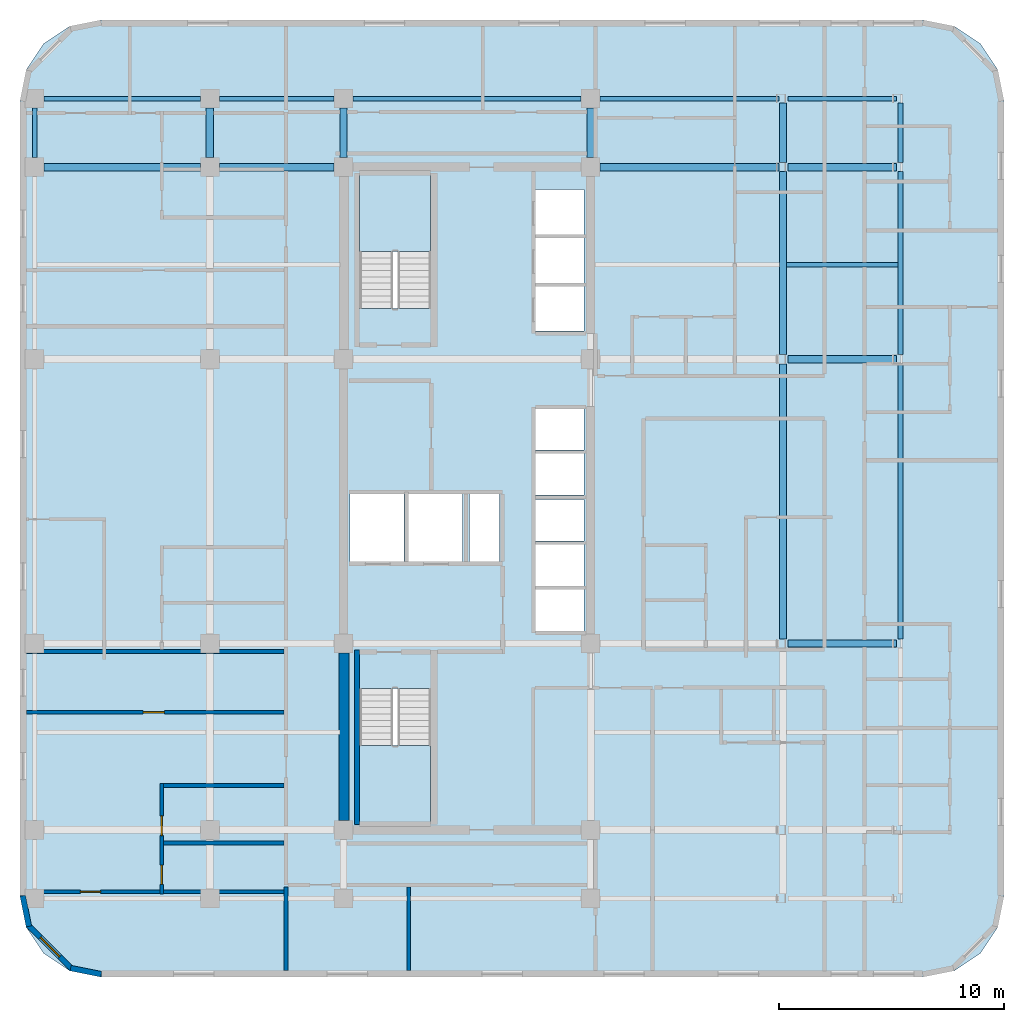
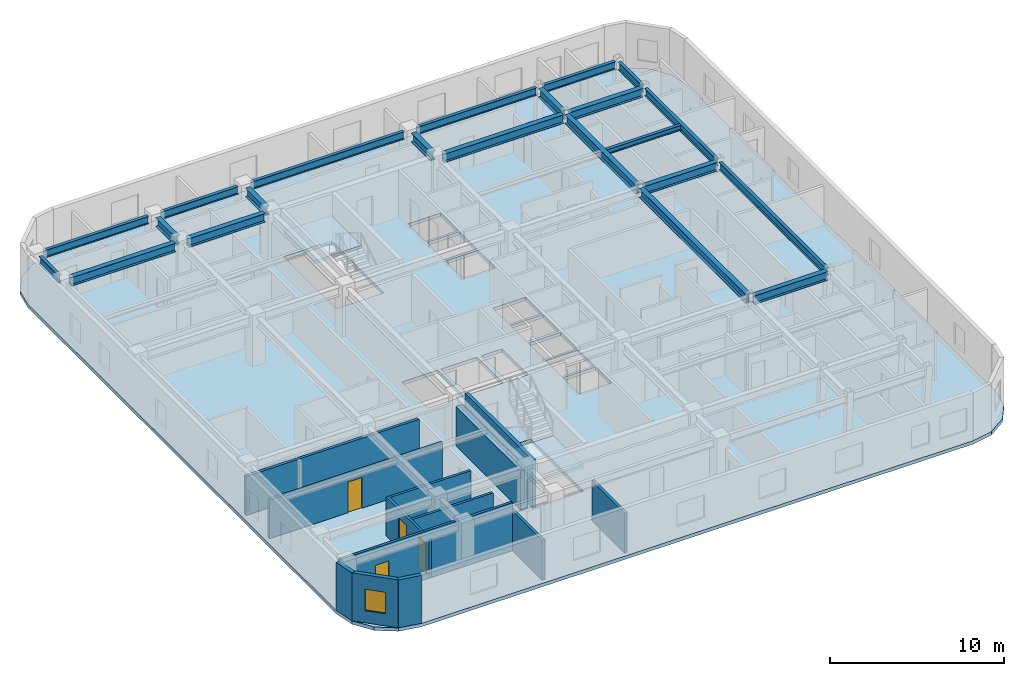
# One storey, part 2 of 9: 22 beams, 13 walls, 4 doors, 3 slabs, 1 window, 5 openings, 2 elements without a shape of their own.
"""IFC4 building model written with IfcOpenShell, lengths in metres."""

from ifc_helpers import new_model, si_unit, direction, frame, frame_2d, origin, origin_2d, place, context, subcontext, project, spatial, polyline, rectangle, i_section, outline, extrude, material, layer, layer_set, material_profile, profile_set, type_object, element, fill, aggregate, save


model = new_model("IFC4")

# Units and contexts
model_context = context("Model", 3, precision=1e-05, world=origin(), true_north=direction((0.0, 1.0)))
body_context = subcontext(model_context, "Body", "Model", "MODEL_VIEW")
ifc_project = project(units=[si_unit("LENGTHUNIT", "METRE"), si_unit("AREAUNIT", "SQUARE_METRE"), si_unit("VOLUMEUNIT", "CUBIC_METRE"), si_unit("PLANEANGLEUNIT", "RADIAN"), si_unit("MASSUNIT", "GRAM", prefix="KILO")], contexts=[model_context])

# Site, building, storey
site_placement = place(None, origin())
site = spatial("IfcSite", under=ifc_project, at=site_placement, CompositionType="ELEMENT")
building_placement = place(site_placement, origin())
building = spatial("IfcBuilding", under=site, at=building_placement, Name="Ochreholt Gables", CompositionType="ELEMENT")
storey_placement = place(building_placement, frame((0.0, 0.0, 106.199951171875)))
storey = spatial("IfcBuildingStorey", under=building, at=storey_placement, Name="L27", CompositionType="ELEMENT", Elevation=106.199951171875)

# Beams
ifc_material_1 = material(Name="Steel CSA G40.21 350W", Category="steel")
ifc_material_profile_1 = material_profile(ifc_material_1, i_section(OverallWidth=0.323974609375, OverallDepth=0.611083984375, WebThickness=0.0126953125, FlangeThickness=0.01904296875, at=origin_2d()), Name="W610X155")
ifc_profile_set_1 = profile_set([ifc_material_profile_1], Name="Steel CSA G40.21 350W")
beam_type_1 = type_object("IfcBeamType", Name="BM-G-W610A", PredefinedType="BEAM", material=ifc_profile_set_1)
for number, where, z_axis, x_axis, name in (
    (1, (43.981689453125, 17.550048828125, 3.054443359375), (1.0, 0.0, 0.0), (0.0, 1.0, 0.0), "L27 Beam TBG-L27-EMEE-Y3"),
    (2, (43.981689453125, 30.199951171875, 3.054443359375), (1.0, 0.0, 0.0), (0.0, 1.0, 0.0), "L27 Beam TBG-L27-EMEE-Y4"),
):
    element("IfcBeam", number, at=place(storey_placement, frame(where, z_axis=z_axis, x_axis=x_axis)), inside=storey, type_object=beam_type_1, Name=name, PredefinedType="BEAM", context=body_context, shape_type="SweptSolid", body=[
        extrude(i_section(OverallWidth=0.323974609375, OverallDepth=0.611083984375, WebThickness=0.0126953125, FlangeThickness=0.01904296875, at=origin_2d()), origin(), (0.0, 0.0, 1.0), 4.8408203125),
    ])
beam_1_placement = place(storey_placement, frame((10.87451171875, 38.75, 3.054443359375), z_axis=(1.0, 0.0, 0.0), x_axis=(0.0, 1.0, 0.0)))
element("IfcBeam", 3, at=beam_1_placement, inside=storey, type_object=beam_type_1, Name="L27 Beam TBG-L27-W2W3-Y5", PredefinedType="BEAM", context=body_context, shape_type="SweptSolid", body=[
    extrude(i_section(OverallWidth=0.323974609375, OverallDepth=0.611083984375, WebThickness=0.0126953125, FlangeThickness=0.01904296875, at=origin_2d()), origin(), (0.0, 0.0, 1.0), 6.950927734375),
])
beam_2_placement = place(storey_placement, frame((18.674560546875, 38.75, 3.054443359375), z_axis=(1.0, 0.0, 0.0), x_axis=(0.0, 1.0, 0.0)))
element("IfcBeam", 4, at=beam_2_placement, inside=storey, type_object=beam_type_1, Name="L27 Beam TBG-L27-W3C1-Y5", PredefinedType="BEAM", context=body_context, shape_type="SweptSolid", body=[
    extrude(i_section(OverallWidth=0.323974609375, OverallDepth=0.611083984375, WebThickness=0.0126953125, FlangeThickness=0.01904296875, at=origin_2d()), origin(), (0.0, 0.0, 1.0), 5.100830078125),
])
beam_3_placement = place(storey_placement, frame((35.62451171875, 38.75, 3.054443359375), z_axis=(1.0, 0.0, 0.0), x_axis=(0.0, 1.0, 0.0)))
element("IfcBeam", 5, at=beam_3_placement, inside=storey, type_object=beam_type_1, Name="L27 Beam TBG-L27-C2EM-Y5", PredefinedType="BEAM", context=body_context, shape_type="SweptSolid", body=[
    extrude(i_section(OverallWidth=0.323974609375, OverallDepth=0.611083984375, WebThickness=0.0126953125, FlangeThickness=0.01904296875, at=origin_2d()), origin(), (0.0, 0.0, 1.0), 7.951904296875),
])
beam_4_placement = place(storey_placement, frame((43.981689453125, 38.75, 3.054443359375), z_axis=(1.0, 0.0, 0.0), x_axis=(0.0, 1.0, 0.0)))
element("IfcBeam", 6, at=beam_4_placement, inside=storey, type_object=beam_type_1, Name="L27 Beam TBG-L27-EMEE-Y5", PredefinedType="BEAM", context=body_context, shape_type="SweptSolid", body=[
    extrude(i_section(OverallWidth=0.323974609375, OverallDepth=0.611083984375, WebThickness=0.0126953125, FlangeThickness=0.01904296875, at=origin_2d()), origin(), (0.0, 0.0, 1.0), 4.8408203125),
])
for number, where, z_axis, x_axis, name in (
    (7, (18.25, 39.174560546875, 3.054443359375), (0.0, 1.0, 0.0), (-1.0, 0.0, 0.0), "L27 Beam TBN-L27-W3-Y5Y6"),
    (8, (24.199951171875, 39.174560546875, 3.054443359375), (0.0, 1.0, 0.0), (-1.0, 0.0, 0.0), "L27 Beam TBN-L27-C1-Y5Y6"),
    (9, (35.199951171875, 39.174560546875, 3.054443359375), (0.0, 1.0, 0.0), (-1.0, 0.0, 0.0), "L27 Beam TBN-L27-C2-Y5Y6"),
):
    element("IfcBeam", number, at=place(storey_placement, frame(where, z_axis=z_axis, x_axis=x_axis)), inside=storey, type_object=beam_type_1, Name=name, PredefinedType="BEAM", context=body_context, shape_type="SweptSolid", body=[
        extrude(i_section(OverallWidth=0.323974609375, OverallDepth=0.611083984375, WebThickness=0.0126953125, FlangeThickness=0.01904296875, at=origin_2d()), origin(), (0.0, 0.0, 1.0), 2.200927734375),
    ])
beam_5_placement = place(storey_placement, frame((43.761962890625, 17.752685546875, 3.054443359375), z_axis=(0.0, 1.0, 0.0), x_axis=(-1.0, 0.0, 0.0)))
element("IfcBeam", 10, at=beam_5_placement, inside=storey, type_object=beam_type_1, Name="L27 Beam TBN-L27-EM-Y3Y4", PredefinedType="BEAM", context=body_context, shape_type="SweptSolid", body=[
    extrude(i_section(OverallWidth=0.323974609375, OverallDepth=0.611083984375, WebThickness=0.0126953125, FlangeThickness=0.01904296875, at=origin_2d()), origin(), (0.0, 0.0, 1.0), 12.24462890625),
])
beam_6_placement = place(storey_placement, frame((43.761962890625, 30.402587890625, 3.054443359375), z_axis=(0.0, 1.0, 0.0), x_axis=(-1.0, 0.0, 0.0)))
element("IfcBeam", 11, at=beam_6_placement, inside=storey, type_object=beam_type_1, Name="L27 Beam TBN-L27-EM-Y4Y5", PredefinedType="BEAM", context=body_context, shape_type="SweptSolid", body=[
    extrude(i_section(OverallWidth=0.323974609375, OverallDepth=0.611083984375, WebThickness=0.0126953125, FlangeThickness=0.01904296875, at=origin_2d()), origin(), (0.0, 0.0, 1.0), 8.144775390625),
])
beam_7_placement = place(storey_placement, frame((43.761962890625, 38.95263671875, 3.054443359375), z_axis=(0.0, 1.0, 0.0), x_axis=(-1.0, 0.0, 0.0)))
element("IfcBeam", 12, at=beam_7_placement, inside=storey, type_object=beam_type_1, Name="L27 Beam TBN-L27-EM-Y5Y6", PredefinedType="BEAM", context=body_context, shape_type="SweptSolid", body=[
    extrude(i_section(OverallWidth=0.323974609375, OverallDepth=0.611083984375, WebThickness=0.0126953125, FlangeThickness=0.01904296875, at=origin_2d()), origin(), (0.0, 0.0, 1.0), 2.644775390625),
])
ifc_material_profile_2 = material_profile(ifc_material_1, i_section(OverallWidth=0.205078125, OverallDepth=0.35400390625, WebThickness=0.009521484375, FlangeThickness=0.016845703125, at=origin_2d()), Name="W360X79")
ifc_profile_set_2 = profile_set([ifc_material_profile_2], Name="Steel CSA G40.21 350W")
beam_type_2 = type_object("IfcBeamType", Name="BM-J-W360A", PredefinedType="JOIST", material=ifc_profile_set_2)
beam_8_placement = place(storey_placement, frame((43.923583984375, 34.39990234375, 3.18310546875), z_axis=(1.0, 0.0, 0.0), x_axis=(0.0, 1.0, 0.0)))
element("IfcBeam", 13, at=beam_8_placement, inside=storey, type_object=beam_type_2, Name="L27 Beam TBJ-L27-J2-EMEE", PredefinedType="JOIST", context=body_context, shape_type="SweptSolid", body=[
    extrude(i_section(OverallWidth=0.205078125, OverallDepth=0.35400390625, WebThickness=0.009521484375, FlangeThickness=0.016845703125, at=origin_2d()), origin(), (0.0, 0.0, 1.0), 4.968994140625),
])
ifc_material_profile_3 = material_profile(ifc_material_1, i_section(OverallWidth=0.208984375, OverallDepth=0.532958984375, WebThickness=0.01025390625, FlangeThickness=0.015625, at=origin_2d()), Name="W530X92")
ifc_profile_set_3 = profile_set([ifc_material_profile_3], Name="Steel CSA G40.21 350W")
beam_type_3 = type_object("IfcBeamType", Name="BM-SP-W530B", PredefinedType="SPANDREL", material=ifc_profile_set_3)
beam_9_placement = place(storey_placement, frame((10.87451171875, 41.800048828125, 3.093505859375), z_axis=(1.0, 0.0, 0.0), x_axis=(0.0, 1.0, 0.0)))
element("IfcBeam", 14, at=beam_9_placement, inside=storey, type_object=beam_type_3, Name="L27 Beam TBG-L27-W2W3-Y6", PredefinedType="SPANDREL", context=body_context, shape_type="SweptSolid", body=[
    extrude(i_section(OverallWidth=0.208984375, OverallDepth=0.532958984375, WebThickness=0.01025390625, FlangeThickness=0.015625, at=origin_2d()), origin(), (0.0, 0.0, 1.0), 6.950927734375),
])
beam_10_placement = place(storey_placement, frame((18.674560546875, 41.800048828125, 3.093505859375), z_axis=(1.0, 0.0, 0.0), x_axis=(0.0, 1.0, 0.0)))
element("IfcBeam", 15, at=beam_10_placement, inside=storey, type_object=beam_type_3, Name="L27 Beam TBG-L27-W3C1-Y6", PredefinedType="SPANDREL", context=body_context, shape_type="SweptSolid", body=[
    extrude(i_section(OverallWidth=0.208984375, OverallDepth=0.532958984375, WebThickness=0.01025390625, FlangeThickness=0.015625, at=origin_2d()), origin(), (0.0, 0.0, 1.0), 5.100830078125),
])
beam_11_placement = place(storey_placement, frame((24.62451171875, 41.800048828125, 3.093505859375), z_axis=(1.0, 0.0, 0.0), x_axis=(0.0, 1.0, 0.0)))
element("IfcBeam", 16, at=beam_11_placement, inside=storey, type_object=beam_type_3, Name="L27 Beam TBG-L27-C1C2-Y6", PredefinedType="SPANDREL", context=body_context, shape_type="SweptSolid", body=[
    extrude(i_section(OverallWidth=0.208984375, OverallDepth=0.532958984375, WebThickness=0.01025390625, FlangeThickness=0.015625, at=origin_2d()), origin(), (0.0, 0.0, 1.0), 10.15087890625),
])
beam_12_placement = place(storey_placement, frame((35.62451171875, 41.800048828125, 3.093505859375), z_axis=(1.0, 0.0, 0.0), x_axis=(0.0, 1.0, 0.0)))
element("IfcBeam", 17, at=beam_12_placement, inside=storey, type_object=beam_type_3, Name="L27 Beam TBG-L27-C2EM-Y6", PredefinedType="SPANDREL", context=body_context, shape_type="SweptSolid", body=[
    extrude(i_section(OverallWidth=0.208984375, OverallDepth=0.532958984375, WebThickness=0.01025390625, FlangeThickness=0.015625, at=origin_2d()), origin(), (0.0, 0.0, 1.0), 7.951904296875),
])
beam_13_placement = place(storey_placement, frame((43.981689453125, 41.800048828125, 3.093505859375), z_axis=(1.0, 0.0, 0.0), x_axis=(0.0, 1.0, 0.0)))
element("IfcBeam", 18, at=beam_13_placement, inside=storey, type_object=beam_type_3, Name="L27 Beam TBG-L27-EMEE-Y6", PredefinedType="SPANDREL", context=body_context, shape_type="SweptSolid", body=[
    extrude(i_section(OverallWidth=0.208984375, OverallDepth=0.532958984375, WebThickness=0.01025390625, FlangeThickness=0.015625, at=origin_2d()), origin(), (0.0, 0.0, 1.0), 4.8408203125),
])
beam_14_placement = place(storey_placement, frame((10.449951171875, 39.174560546875, 3.093505859375), z_axis=(0.0, 1.0, 0.0), x_axis=(-1.0, 0.0, 0.0)))
element("IfcBeam", 19, at=beam_14_placement, inside=storey, type_object=beam_type_3, Name="L27 Beam TBN-L27-W2-Y5Y6", PredefinedType="SPANDREL", context=body_context, shape_type="SweptSolid", body=[
    extrude(i_section(OverallWidth=0.208984375, OverallDepth=0.532958984375, WebThickness=0.01025390625, FlangeThickness=0.015625, at=origin_2d()), origin(), (0.0, 0.0, 1.0), 2.200927734375),
])
beam_15_placement = place(storey_placement, frame((48.996826171875, 17.752685546875, 3.093505859375), z_axis=(0.0, 1.0, 0.0), x_axis=(-1.0, 0.0, 0.0)))
element("IfcBeam", 20, at=beam_15_placement, inside=storey, type_object=beam_type_3, Name="L27 Beam TBN-L27-EE-Y3Y4", PredefinedType="SPANDREL", context=body_context, shape_type="SweptSolid", body=[
    extrude(i_section(OverallWidth=0.208984375, OverallDepth=0.532958984375, WebThickness=0.01025390625, FlangeThickness=0.015625, at=origin_2d()), origin(), (0.0, 0.0, 1.0), 12.24462890625),
])
beam_16_placement = place(storey_placement, frame((48.996826171875, 30.402587890625, 3.093505859375), z_axis=(0.0, 1.0, 0.0), x_axis=(-1.0, 0.0, 0.0)))
element("IfcBeam", 21, at=beam_16_placement, inside=storey, type_object=beam_type_3, Name="L27 Beam TBN-L27-EE-Y4Y5", PredefinedType="SPANDREL", context=body_context, shape_type="SweptSolid", body=[
    extrude(i_section(OverallWidth=0.208984375, OverallDepth=0.532958984375, WebThickness=0.01025390625, FlangeThickness=0.015625, at=origin_2d()), origin(), (0.0, 0.0, 1.0), 8.144775390625),
])
beam_17_placement = place(storey_placement, frame((48.996826171875, 38.95263671875, 3.093505859375), z_axis=(0.0, 1.0, 0.0), x_axis=(-1.0, 0.0, 0.0)))
element("IfcBeam", 22, at=beam_17_placement, inside=storey, type_object=beam_type_3, Name="L27 Beam TBN-L27-EE-Y5Y6", PredefinedType="SPANDREL", context=body_context, shape_type="SweptSolid", body=[
    extrude(i_section(OverallWidth=0.208984375, OverallDepth=0.532958984375, WebThickness=0.01025390625, FlangeThickness=0.015625, at=origin_2d()), origin(), (0.0, 0.0, 1.0), 2.644775390625),
])

# Stair, slab
ifc_material_2 = material(Name="Concrete 40 MPa", Category="concrete")
stair_type_1 = type_object("IfcStairType", Name="STAIR-CORE-ST-1", PredefinedType="HALF_TURN_STAIR", material=ifc_material_2)
stair_1_placement = place(storey_placement, origin())
stair_1 = element("IfcStair", 23, at=stair_1_placement, inside=storey, type_object=stair_type_1, Name="L27 Core Exit Stair 1", PredefinedType="HALF_TURN_STAIR")
ifc_layer_1 = layer(ifc_material_2, 0.199951171875, Name="Concrete 40 MPa")
ifc_layer_set_1 = layer_set([ifc_layer_1], Name="Concrete 40 MPa")
slab_type_1 = type_object("IfcSlabType", Name="LANDING-RC200", PredefinedType="LANDING", material=ifc_layer_set_1)
slab_1_placement = place(storey_placement, frame((0.0, 0.0, 1.60009765625)))
slab_1 = element("IfcSlab", 24, at=slab_1_placement, type_object=slab_type_1, Name="ST-1 landing 1", PredefinedType="LANDING", context=body_context, shape_type="SweptSolid", body=[
    extrude(outline(polyline([(24.919921875, 13.001953125), (24.919921875, 9.52001953125), (28.080078125, 9.52001953125), (28.080078125, 13.001953125), (24.919921875, 13.001953125)])), origin(), (0.0, 0.0, 1.0), 0.199951171875),
])
aggregate(stair_1, [slab_1])

stair_type_2 = type_object("IfcStairType", Name="STAIR-CORE-ST-2", PredefinedType="HALF_TURN_STAIR", material=ifc_material_2)
stair_2_placement = place(storey_placement, origin())
stair_2 = element("IfcStair", 25, at=stair_2_placement, inside=storey, type_object=stair_type_2, Name="L27 Core Exit Stair 2", PredefinedType="HALF_TURN_STAIR")
slab_2_placement = place(storey_placement, frame((0.0, 0.0, 1.60009765625)))
slab_2 = element("IfcSlab", 26, at=slab_2_placement, type_object=slab_type_1, Name="ST-2 landing 1", PredefinedType="LANDING", context=body_context, shape_type="SweptSolid", body=[
    extrude(outline(polyline([(28.080078125, 34.998046875), (28.080078125, 38.47998046875), (24.919921875, 38.47998046875), (24.919921875, 34.998046875), (28.080078125, 34.998046875)])), origin(), (0.0, 0.0, 1.0), 0.199951171875),
])
aggregate(stair_2, [slab_2])

# Slab
ifc_layer_2 = layer(ifc_material_2, 0.239990234375, Name="Concrete 40 MPa")
ifc_layer_set_2 = layer_set([ifc_layer_2], Name="Concrete 40 MPa")
slab_type_2 = type_object("IfcSlabType", Name="SLAB-TWR-240", PredefinedType="FLOOR", material=ifc_layer_set_2)
slab_3_placement = place(storey_placement, frame((0.0, 0.0, -0.239990234375)))
element("IfcSlab", 27, at=slab_3_placement, inside=storey, type_object=slab_type_2, Name="L27 Structural Floor Slab", PredefinedType="FLOOR", context=body_context, shape_type="SweptSolid", body=[
    extrude(outline(polyline([(9.800048828125, 6.300048828125), (10.073974609375, 4.92236328125), (10.8544921875, 3.75439453125), (12.022216796875, 2.97412109375), (13.39990234375, 2.699951171875), (50.0, 2.699951171875), (51.377685546875, 2.97412109375), (52.545654296875, 3.75439453125), (53.325927734375, 4.92236328125), (53.60009765625, 6.300048828125), (53.60009765625, 41.699951171875), (53.325927734375, 43.07763671875), (52.545654296875, 44.24560546875), (51.377685546875, 45.02587890625), (50.0, 45.300048828125), (13.39990234375, 45.300048828125), (12.022216796875, 45.02587890625), (10.8544921875, 44.24560546875), (10.073974609375, 43.07763671875), (9.800048828125, 41.699951171875), (9.800048828125, 6.300048828125)]), holes=[polyline([(24.919921875, 15.539306640625), (24.919921875, 9.52001953125), (28.080078125, 9.52001953125), (28.080078125, 15.539306640625), (24.919921875, 15.539306640625)]), polyline([(28.080078125, 32.460693359375), (28.080078125, 38.47998046875), (24.919921875, 38.47998046875), (24.919921875, 32.460693359375), (28.080078125, 32.460693359375)]), polyline([(24.5, 21.199951171875), (26.89990234375, 21.199951171875), (26.89990234375, 24.199951171875), (24.5, 24.199951171875), (24.5, 21.199951171875)]), polyline([(27.10009765625, 21.199951171875), (29.5, 21.199951171875), (29.5, 24.199951171875), (27.10009765625, 24.199951171875), (27.10009765625, 21.199951171875)]), polyline([(32.75, 18.10009765625), (34.89990234375, 18.10009765625), (34.89990234375, 19.949951171875), (32.75, 19.949951171875), (32.75, 18.10009765625)]), polyline([(32.75, 20.10009765625), (34.89990234375, 20.10009765625), (34.89990234375, 21.949951171875), (32.75, 21.949951171875), (32.75, 20.10009765625)]), polyline([(32.75, 22.10009765625), (34.89990234375, 22.10009765625), (34.89990234375, 23.949951171875), (32.75, 23.949951171875), (32.75, 22.10009765625)]), polyline([(32.75, 24.14990234375), (34.89990234375, 24.14990234375), (34.89990234375, 26.0), (32.75, 26.0), (32.75, 24.14990234375)]), polyline([(32.75, 26.14990234375), (34.89990234375, 26.14990234375), (34.89990234375, 28.0), (32.75, 28.0), (32.75, 26.14990234375)]), polyline([(32.75, 31.449951171875), (34.89990234375, 31.449951171875), (34.89990234375, 33.449951171875), (32.75, 33.449951171875), (32.75, 31.449951171875)]), polyline([(32.75, 33.60009765625), (34.89990234375, 33.60009765625), (34.89990234375, 35.60009765625), (32.75, 35.60009765625), (32.75, 33.60009765625)]), polyline([(32.75, 35.75), (34.89990234375, 35.75), (34.89990234375, 37.75), (32.75, 37.75), (32.75, 35.75)]), polyline([(29.800048828125, 21.199951171875), (31.14990234375, 21.199951171875), (31.14990234375, 24.199951171875), (29.800048828125, 24.199951171875), (29.800048828125, 21.199951171875)])]), origin(), (0.0, 0.0, 1.0), 0.239990234375),
])

# Walls
ifc_material_3 = material(Name="Concrete 60 MPa", Category="concrete")
ifc_layer_3 = layer(ifc_material_3, 0.449951171875, Name="Concrete 60 MPa")
ifc_layer_set_3 = layer_set([ifc_layer_3], Name="Concrete 60 MPa")
wall_type_1 = type_object("IfcWallType", Name="WALL-CSW-450", PredefinedType="SHEAR", material=ifc_layer_set_3)
wall_1_placement = place(storey_placement, frame((24.22509765625, 9.675048828125, 0.0), z_axis=(0.0, 0.0, 1.0), x_axis=(0.0, 1.0, 0.0)))
element("IfcWall", 28, at=wall_1_placement, inside=storey, type_object=wall_type_1, Name="L27 Core West Shear Wall WS", PredefinedType="SHEAR", context=body_context, shape_type="SweptSolid", body=[
    extrude(rectangle(XDim=7.449951171875, YDim=0.449951171875, at=frame_2d((3.72509765625, 0.0))), origin(), (0.0, 0.0, 1.0), 2.7490234375),
])
ifc_material_4 = material(Name="Precast concrete 40 MPa", Category="concrete")
ifc_layer_4 = layer(ifc_material_4, 0.25, Name="Precast concrete 40 MPa")
ifc_layer_set_4 = layer_set([ifc_layer_4], Name="Precast concrete 40 MPa")
wall_type_2 = type_object("IfcWallType", Name="WALL-EXT-CNR", PredefinedType="SOLIDWALL", material=ifc_layer_set_4)
wall_2_placement = place(storey_placement, frame((9.92431640625, 6.31640625, 0.0), z_axis=(0.0, 0.0, 1.0), x_axis=(0.195000137217, -0.980803214965, 0.0)))
element("IfcWall", 29, at=wall_2_placement, inside=storey, type_object=wall_type_2, Name="L27 Rounded Corner Wall SW-1", PredefinedType="SOLIDWALL", context=body_context, shape_type="SweptSolid", body=[
    extrude(rectangle(XDim=1.388427734375, YDim=0.25, at=frame_2d((0.6943359375, 0.0))), origin(), (0.0, 0.0, 1.0), 3.360107421875),
])

# Wall, opening, window
wall_3_placement = place(storey_placement, frame((10.16796875, 5.0048828125, 0.0), z_axis=(0.0, 0.0, 1.0), x_axis=(0.707151344399, -0.707062215165, 0.0)))
wall_3 = element("IfcWall", 30, at=wall_3_placement, inside=storey, type_object=wall_type_2, Name="L27 Rounded Corner Wall SW-2", PredefinedType="SOLIDWALL", context=body_context, shape_type="SweptSolid", body=[
    extrude(rectangle(XDim=2.7392578125, YDim=0.25, at=frame_2d((1.36962890625, 0.0))), origin(), (0.0, 0.0, 1.0), 3.360107421875),
])
opening_1_placement = place(wall_3_placement, frame((0.769775390625, 0.0, 0.85009765625)))
opening_1 = element("IfcOpeningElement", 31, at=opening_1_placement, cuts=wall_3, Name="Opening WN-3", PredefinedType="OPENING", context=body_context, shape_type="SweptSolid", body=[
    extrude(rectangle(XDim=1.199951171875, YDim=1.5, at=frame_2d((0.60009765625, 0.75))), frame((0.0, 0.135009765625, 0.0), z_axis=(0.0, -1.0, 0.0), x_axis=(1.0, 0.0, 0.0)), (0.0, 0.0, 1.0), 0.27001953125),
])
ifc_material_5 = material(Name="Triple-Glazed Thermally Broken Aluminium Window", Category="aluminium")
window_type = type_object("IfcWindowType", Name="WIN-RES-1200", PartitioningType="SINGLE_PANEL", PredefinedType="WINDOW", material=ifc_material_5)
window_placement = place(opening_1_placement, origin())
window = element("IfcWindow", 32, at=window_placement, inside=storey, type_object=window_type, Name="L27 Corner Bedroom Window SW", OverallHeight=1.5, OverallWidth=1.199951171875, PartitioningType="SINGLE_PANEL", PredefinedType="WINDOW", context=body_context, shape_type="SweptSolid", body=[
    extrude(rectangle(XDim=1.199951171875, YDim=1.5, at=frame_2d((0.60009765625, 0.75))), frame((0.0, 0.030029296875, 0.0), z_axis=(0.0, -1.0, 0.0), x_axis=(1.0, 0.0, 0.0)), (0.0, 0.0, 1.0), 0.06005859375),
])
fill(opening_1, window)

# Walls
wall_4_placement = place(storey_placement, frame((12.054443359375, 3.094970703125, 0.0), z_axis=(0.0, 0.0, 1.0), x_axis=(0.980809899341, -0.19496651342, 0.0)))
element("IfcWall", 33, at=wall_4_placement, inside=storey, type_object=wall_type_2, Name="L27 Rounded Corner Wall SW-3", PredefinedType="SOLIDWALL", context=body_context, shape_type="SweptSolid", body=[
    extrude(rectangle(XDim=1.388671875, YDim=0.25, at=frame_2d((0.6943359375, 0.0))), origin(), (0.0, 0.0, 1.0), 3.360107421875),
])
ifc_material_6 = material(Name="Double-Stud Acoustic Demising Wall", Category="gypsum")
ifc_layer_5 = layer(ifc_material_6, 0.179931640625, Name="Double-Stud Acoustic Demising Wall")
ifc_layer_set_5 = layer_set([ifc_layer_5], Name="Double-Stud Acoustic Demising Wall")
wall_type_3 = type_object("IfcWallType", Name="WALL-INT-DM180", PredefinedType="PARTITIONING", material=ifc_layer_set_5)
wall_5_placement = place(storey_placement, frame((21.64990234375, 2.97998046875, 0.0), z_axis=(0.0, 0.0, 1.0), x_axis=(0.0, 1.0, 0.0)))
element("IfcWall", 34, at=wall_5_placement, inside=storey, type_object=wall_type_3, Name="L27 Interior Wall WI-C2WWS-L27", PredefinedType="PARTITIONING", context=body_context, shape_type="SweptSolid", body=[
    extrude(rectangle(XDim=3.72998046875, YDim=0.179931640625, at=frame_2d((1.864990234375, 0.0))), origin(), (0.0, 0.0, 1.0), 2.80908203125),
])
wall_6_placement = place(storey_placement, frame((10.080078125, 17.18408203125, 0.0), z_axis=(0.0, 0.0, 1.0), x_axis=(1.0, 0.0, 0.0)))
element("IfcWall", 35, at=wall_6_placement, inside=storey, type_object=wall_type_3, Name="L27 Interior Wall WI-C2UDW2-L27", PredefinedType="PARTITIONING", context=body_context, shape_type="SweptSolid", body=[
    extrude(rectangle(XDim=11.47998046875, YDim=0.179931640625, at=frame_2d((5.739990234375, 0.0))), origin(), (0.0, 0.0, 1.0), 2.73095703125),
])
ifc_material_7 = material(Name="Moisture-Resistant Plumbing Chase Wall", Category="gypsum")
ifc_layer_6 = layer(ifc_material_7, 0.159912109375, Name="Moisture-Resistant Plumbing Chase Wall")
ifc_layer_set_6 = layer_set([ifc_layer_6], Name="Moisture-Resistant Plumbing Chase Wall")
wall_type_4 = type_object("IfcWallType", Name="WALL-INT-PL160", PredefinedType="PLUMBINGWALL", material=ifc_layer_set_6)
wall_7_placement = place(storey_placement, frame((16.030029296875, 11.2255859375, 0.0), z_axis=(0.0, 0.0, 1.0), x_axis=(1.0, 0.0, 0.0)))
element("IfcWall", 36, at=wall_7_placement, inside=storey, type_object=wall_type_4, Name="L27 Interior Wall WU-L27W1-FYN", PredefinedType="PLUMBINGWALL", context=body_context, shape_type="SweptSolid", body=[
    extrude(rectangle(XDim=5.530029296875, YDim=0.159912109375, at=frame_2d((2.76513671875, 0.0))), origin(), (0.0, 0.0, 1.0), 2.73095703125),
])

# Wall, openings, doors
wall_8_placement = place(storey_placement, frame((16.110107421875, 6.39990234375, 0.0), z_axis=(0.0, 0.0, 1.0), x_axis=(0.0, 1.0, 0.0)))
wall_8 = element("IfcWall", 37, at=wall_8_placement, inside=storey, type_object=wall_type_4, Name="L27 Interior Wall WU-L27W1-WX", PredefinedType="PLUMBINGWALL", context=body_context, shape_type="SweptSolid", body=[
    extrude(rectangle(XDim=4.91552734375, YDim=0.159912109375, at=frame_2d((2.457763671875, 0.0))), origin(), (0.0, 0.0, 1.0), 2.73095703125),
])
opening_2_placement = place(wall_8_placement, frame((0.419921875, 0.0, 0.0)))
opening_2 = element("IfcOpeningElement", 38, at=opening_2_placement, cuts=wall_8, Name="Opening D-BT1", PredefinedType="OPENING", context=body_context, shape_type="SweptSolid", body=[
    extrude(rectangle(XDim=0.860107421875, YDim=2.1201171875, at=frame_2d((0.43017578125, 1.06005859375))), frame((0.0, 0.08984375, 0.0), z_axis=(0.0, -1.0, 0.0), x_axis=(1.0, 0.0, 0.0)), (0.0, 0.0, 1.0), 0.179931640625),
])
opening_3_placement = place(wall_8_placement, frame((2.598388671875, 0.0, 0.0)))
opening_3 = element("IfcOpeningElement", 39, at=opening_3_placement, cuts=wall_8, Name="Opening D-GN2", PredefinedType="OPENING", context=body_context, shape_type="SweptSolid", body=[
    extrude(rectangle(XDim=0.8798828125, YDim=2.1201171875, at=frame_2d((0.43994140625, 1.06005859375))), frame((0.0, 0.08984375, 0.0), z_axis=(0.0, -1.0, 0.0), x_axis=(1.0, 0.0, 0.0)), (0.0, 0.0, 1.0), 0.179931640625),
])
ifc_material_8 = material(Name="Engineered Oak Timber", Category="wood")
door_type_1 = type_object("IfcDoorType", Name="DR-INT-BTH860", OperationType="NOTDEFINED", PredefinedType="DOOR", material=ifc_material_8)
door_1_placement = place(opening_2_placement, origin())
door_1 = element("IfcDoor", 40, at=door_1_placement, inside=storey, type_object=door_type_1, Name="L27 Door D-U-L27W1-BTH", OperationType="SINGLE_SWING_RIGHT", OverallHeight=2.1201171875, OverallWidth=0.860107421875, PredefinedType="DOOR", context=body_context, shape_type="SweptSolid", body=[
    extrude(rectangle(XDim=0.860107421875, YDim=2.1201171875, at=frame_2d((0.43017578125, 1.06005859375))), frame((0.0, 0.02490234375, 0.0), z_axis=(0.0, -1.0, 0.0), x_axis=(1.0, 0.0, 0.0)), (0.0, 0.0, 1.0), 0.050048828125),
])
fill(opening_2, door_1)
door_type_2 = type_object("IfcDoorType", Name="DR-INT-GEN880", OperationType="NOTDEFINED", PredefinedType="DOOR", material=ifc_material_8)
door_2_placement = place(opening_3_placement, origin())
door_2 = element("IfcDoor", 41, at=door_2_placement, inside=storey, type_object=door_type_2, Name="L27 Door D-U-L27W1-KIT", OperationType="SINGLE_SWING_LEFT", OverallHeight=2.1201171875, OverallWidth=0.8798828125, PredefinedType="DOOR", context=body_context, shape_type="SweptSolid", body=[
    extrude(rectangle(XDim=0.8798828125, YDim=2.1201171875, at=frame_2d((0.43994140625, 1.06005859375))), frame((0.0, 0.02490234375, 0.0), z_axis=(0.0, -1.0, 0.0), x_axis=(1.0, 0.0, 0.0)), (0.0, 0.0, 1.0), 0.050048828125),
])
fill(opening_3, door_2)

# Wall
wall_9_placement = place(storey_placement, frame((16.18994140625, 8.668212890625, 0.0), z_axis=(0.0, 0.0, 1.0), x_axis=(1.0, 0.0, 0.0)))
element("IfcWall", 42, at=wall_9_placement, inside=storey, type_object=wall_type_4, Name="L27 Interior Wall WU-L27W1-WK", PredefinedType="PLUMBINGWALL", context=body_context, shape_type="SweptSolid", body=[
    extrude(rectangle(XDim=5.3701171875, YDim=0.159912109375, at=frame_2d((2.68505859375, 0.0))), origin(), (0.0, 0.0, 1.0), 2.73095703125),
])

# Wall, opening, door
ifc_material_9 = material(Name="Gypsum Acoustic Stud Partition", Category="gypsum")
ifc_layer_7 = layer(ifc_material_9, 0.1650390625, Name="Gypsum Acoustic Stud Partition")
ifc_layer_set_7 = layer_set([ifc_layer_7], Name="Gypsum Acoustic Stud Partition")
wall_type_5 = type_object("IfcWallType", Name="WALL-INT-PT165", PredefinedType="PARTITIONING", material=ifc_layer_set_7)
wall_10_placement = place(storey_placement, frame((10.080078125, 6.489990234375, 0.0), z_axis=(0.0, 0.0, 1.0), x_axis=(1.0, 0.0, 0.0)))
wall_10 = element("IfcWall", 43, at=wall_10_placement, inside=storey, type_object=wall_type_5, Name="L27 Interior Wall WU-L27W1-MN", PredefinedType="PARTITIONING", context=body_context, shape_type="SweptSolid", body=[
    extrude(rectangle(XDim=11.47998046875, YDim=0.1650390625, at=frame_2d((5.739990234375, 0.0))), origin(), (0.0, 0.0, 1.0), 3.360107421875),
])
opening_4_placement = place(wall_10_placement, frame((2.409912109375, 0.0, 0.0)))
opening_4 = element("IfcOpeningElement", 44, at=opening_4_placement, cuts=wall_10, Name="Opening D-BD1", PredefinedType="OPENING", context=body_context, shape_type="SweptSolid", body=[
    extrude(rectangle(XDim=0.89990234375, YDim=2.139892578125, at=frame_2d((0.449951171875, 1.06982421875))), frame((0.0, 0.092529296875, 0.0), z_axis=(0.0, -1.0, 0.0), x_axis=(1.0, 0.0, 0.0)), (0.0, 0.0, 1.0), 0.18505859375),
])
door_type_3 = type_object("IfcDoorType", Name="DR-INT-BED900", OperationType="NOTDEFINED", PredefinedType="DOOR", material=ifc_material_8)
door_3_placement = place(opening_4_placement, origin())
door_3 = element("IfcDoor", 45, at=door_3_placement, inside=storey, type_object=door_type_3, Name="L27 Door D-U-L27W1-BD1", OperationType="SINGLE_SWING_RIGHT", OverallHeight=2.139892578125, OverallWidth=0.89990234375, PredefinedType="DOOR", context=body_context, shape_type="SweptSolid", body=[
    extrude(rectangle(XDim=0.89990234375, YDim=2.139892578125, at=frame_2d((0.449951171875, 1.06982421875))), frame((0.0, 0.02490234375, 0.0), z_axis=(0.0, -1.0, 0.0), x_axis=(1.0, 0.0, 0.0)), (0.0, 0.0, 1.0), 0.050048828125),
])
fill(opening_4, door_3)

wall_11_placement = place(storey_placement, frame((10.080078125, 14.48779296875, 0.0), z_axis=(0.0, 0.0, 1.0), x_axis=(1.0, 0.0, 0.0)))
wall_11 = element("IfcWall", 46, at=wall_11_placement, inside=storey, type_object=wall_type_5, Name="L27 Interior Wall WU-L27W1-DNW", PredefinedType="PARTITIONING", context=body_context, shape_type="SweptSolid", body=[
    extrude(rectangle(XDim=11.47998046875, YDim=0.1650390625, at=frame_2d((5.739990234375, 0.0))), origin(), (0.0, 0.0, 1.0), 2.73095703125),
])
opening_5_placement = place(wall_11_placement, frame((5.195068359375, 0.0, 0.0)))
opening_5 = element("IfcOpeningElement", 47, at=opening_5_placement, cuts=wall_11, Name="Opening D-GN1", PredefinedType="OPENING", context=body_context, shape_type="SweptSolid", body=[
    extrude(rectangle(XDim=0.949951171875, YDim=2.14990234375, at=frame_2d((0.47509765625, 1.074951171875))), frame((0.0, 0.092529296875, 0.0), z_axis=(0.0, -1.0, 0.0), x_axis=(1.0, 0.0, 0.0)), (0.0, 0.0, 1.0), 0.18505859375),
])
door_type_4 = type_object("IfcDoorType", Name="DR-INT-GEN950", OperationType="NOTDEFINED", PredefinedType="DOOR", material=ifc_material_8)
door_4_placement = place(opening_5_placement, origin())
door_4 = element("IfcDoor", 48, at=door_4_placement, inside=storey, type_object=door_type_4, Name="L27 Door D-U-L27W1-DIN", OperationType="SINGLE_SWING_RIGHT", OverallHeight=2.14990234375, OverallWidth=0.949951171875, PredefinedType="DOOR", context=body_context, shape_type="SweptSolid", body=[
    extrude(rectangle(XDim=0.949951171875, YDim=2.14990234375, at=frame_2d((0.47509765625, 1.074951171875))), frame((0.0, 0.02490234375, 0.0), z_axis=(0.0, -1.0, 0.0), x_axis=(1.0, 0.0, 0.0)), (0.0, 0.0, 1.0), 0.050048828125),
])
fill(opening_5, door_4)

# Walls
wall_12_placement = place(storey_placement, frame((27.10009765625, 2.97998046875, 0.0), z_axis=(0.0, 0.0, 1.0), x_axis=(0.0, 1.0, 0.0)))
element("IfcWall", 49, at=wall_12_placement, inside=storey, type_object=wall_type_5, Name="L27 Interior Wall WI-C2PKS-L27", PredefinedType="PARTITIONING", context=body_context, shape_type="SweptSolid", body=[
    extrude(rectangle(XDim=3.72998046875, YDim=0.1650390625, at=frame_2d((1.864990234375, 0.0))), origin(), (0.0, 0.0, 1.0), 2.80908203125),
])
ifc_material_10 = material(Name="Concrete 50 MPa", Category="concrete")
ifc_layer_8 = layer(ifc_material_10, 0.219970703125, Name="Concrete 50 MPa")
ifc_layer_set_8 = layer_set([ifc_layer_8], Name="Concrete 50 MPa")
wall_type_6 = type_object("IfcWallType", Name="WALL-STW-220", PredefinedType="SHEAR", material=ifc_layer_set_8)
wall_13_placement = place(storey_placement, frame((24.81005859375, 9.5, 0.0), z_axis=(0.0, 0.0, 1.0), x_axis=(0.0, 1.0, 0.0)))
element("IfcWall", 50, at=wall_13_placement, inside=storey, type_object=wall_type_6, Name="L27 Exit Stair 1 West Wall", PredefinedType="SHEAR", context=body_context, shape_type="SweptSolid", body=[
    extrude(rectangle(XDim=7.760009765625, YDim=0.219970703125, at=frame_2d((3.8798828125, 0.0))), origin(), (0.0, 0.0, 1.0), 3.360107421875),
])

save(model, "model.ifc")
